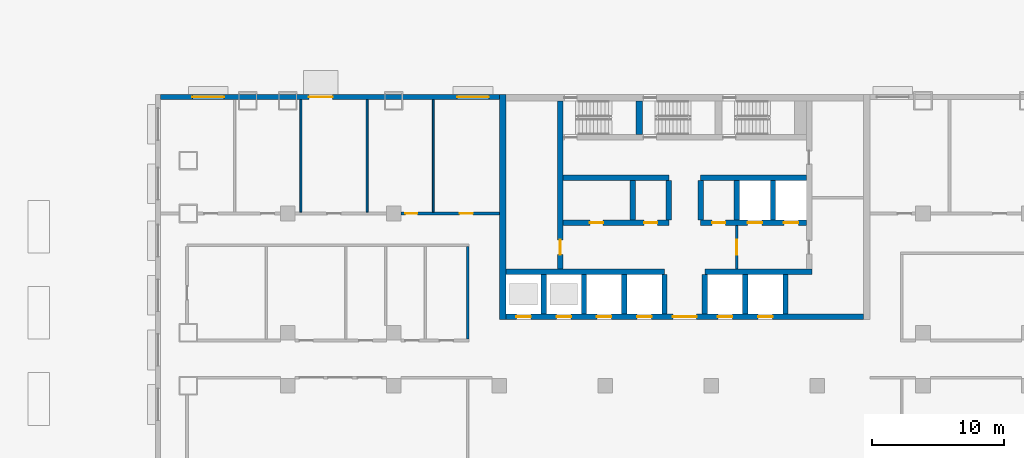
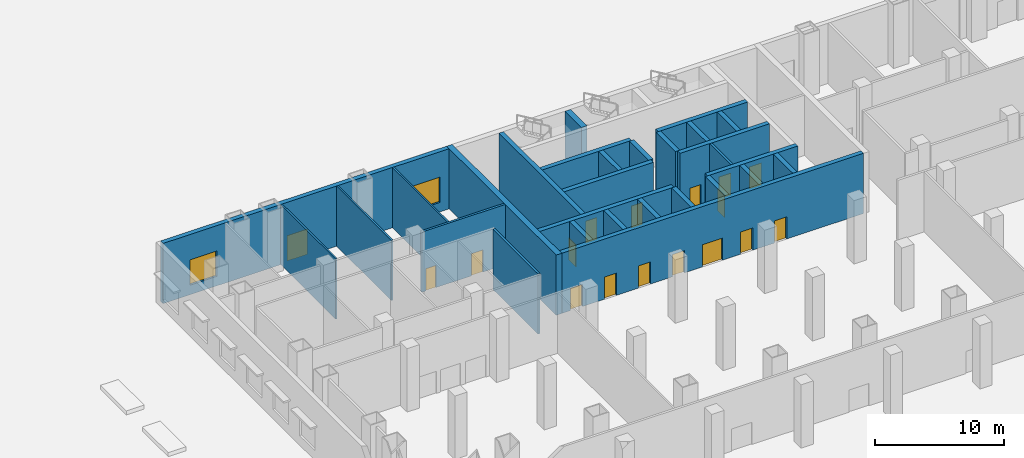
# One storey, part 8 of 18: 29 walls, 17 doors, 2 windows, 19 openings.
"""IFC4 building model written with IfcOpenShell, lengths in metres."""

from ifc_helpers import new_model, si_unit, direction, frame, frame_2d, origin, place, context, subcontext, project, spatial, rectangle, extrude, material, layer, layer_set, type_object, element, fill, save


model = new_model("IFC4")

# Units and contexts
model_context = context("Model", 3, precision=1e-05, world=origin(), true_north=direction((0.0, 1.0)))
body_context = subcontext(model_context, "Body", "Model", "MODEL_VIEW")
ifc_project = project(units=[si_unit("LENGTHUNIT", "METRE"), si_unit("AREAUNIT", "SQUARE_METRE"), si_unit("VOLUMEUNIT", "CUBIC_METRE"), si_unit("PLANEANGLEUNIT", "RADIAN"), si_unit("MASSUNIT", "GRAM", prefix="KILO")], contexts=[model_context])

# Site, building, storey
site_placement = place(None, origin())
site = spatial("IfcSite", under=ifc_project, at=site_placement, CompositionType="ELEMENT")
building_placement = place(site_placement, origin())
building = spatial("IfcBuilding", under=site, at=building_placement, Name="Vidyagriha Tower", CompositionType="ELEMENT")
storey_placement = place(building_placement, origin())
storey = spatial("IfcBuildingStorey", under=building, at=storey_placement, Name="L00", CompositionType="ELEMENT", Elevation=0.0)

# Wall, openings, door, windows
ifc_material_1 = material(Name="Concrete C40/50 board-marked with brick facing", Category="concrete")
ifc_layer_1 = layer(ifc_material_1, 0.39990234375)
ifc_layer_set_1 = layer_set([ifc_layer_1], Name="Concrete C40/50 board-marked with brick facing")
wall_type_1 = type_object("IfcWallType", Name="Brick-faced board-marked concrete podium wall 400", PredefinedType="STANDARD", material=ifc_layer_set_1)
wall_1_placement = place(storey_placement, frame((-14.0, 19.800048828125, 0.0), z_axis=(0.0, 0.0, 1.0), x_axis=(-1.0, 0.0, 0.0)))
wall_1 = element("IfcWall", 1, at=wall_1_placement, inside=storey, type_object=wall_type_1, Name="Podium wall L00 R04", PredefinedType="STANDARD", context=body_context, shape_type="SweptSolid", body=[
    extrude(rectangle(XDim=25.60009765625, YDim=0.39990234375, at=frame_2d((12.800048828125, 0.0))), origin(), (0.0, 0.0, 1.0), 5.699951171875),
])
opening_1_placement = place(wall_1_placement, frame((12.60009765625, 0.0, 0.0)))
opening_1 = element("IfcOpeningElement", 2, at=opening_1_placement, cuts=wall_1, Name="Opening D00-03", PredefinedType="OPENING", context=body_context, shape_type="SweptSolid", body=[
    extrude(rectangle(XDim=1.800048828125, YDim=2.39990234375, at=frame_2d((0.89990234375, 1.199951171875))), frame((0.0, 0.2099609375, 0.0), z_axis=(0.0, -1.0, 0.0), x_axis=(1.0, 0.0, 0.0)), (0.0, 0.0, 1.0), 0.419921875),
])
opening_2_placement = place(wall_1_placement, frame((0.800048828125, 0.0, 0.89990234375)))
opening_2 = element("IfcOpeningElement", 3, at=opening_2_placement, cuts=wall_1, Name="Opening WN4", PredefinedType="OPENING", context=body_context, shape_type="SweptSolid", body=[
    extrude(rectangle(XDim=2.39990234375, YDim=2.39990234375, at=frame_2d((1.199951171875, 1.199951171875))), frame((0.0, 0.2099609375, 0.0), z_axis=(0.0, -1.0, 0.0), x_axis=(1.0, 0.0, 0.0)), (0.0, 0.0, 1.0), 0.419921875),
])
opening_3_placement = place(wall_1_placement, frame((20.800048828125, 0.0, 0.89990234375)))
opening_3 = element("IfcOpeningElement", 4, at=opening_3_placement, cuts=wall_1, Name="Opening WN4", PredefinedType="OPENING", context=body_context, shape_type="SweptSolid", body=[
    extrude(rectangle(XDim=2.39990234375, YDim=2.39990234375, at=frame_2d((1.199951171875, 1.199951171875))), frame((0.0, 0.2099609375, 0.0), z_axis=(0.0, -1.0, 0.0), x_axis=(1.0, 0.0, 0.0)), (0.0, 0.0, 1.0), 0.419921875),
])
ifc_material_2 = material(Name="Aluminium and glass door", Category="aluminium")
door_type_1 = type_object("IfcDoorType", Name="Entrance double leaf glazed door 1800x2400", OperationType="NOTDEFINED", PredefinedType="DOOR", material=ifc_material_2)
door_1_placement = place(opening_1_placement, frame((1.800048828125, 0.0, 0.0), z_axis=(0.0, 0.0, 1.0), x_axis=(-1.0, 0.0, 0.0)))
door_1 = element("IfcDoor", 5, at=door_1_placement, inside=storey, type_object=door_type_1, Name="Stair exit D00-03", OperationType="DOUBLE_DOOR_SINGLE_SWING", OverallHeight=2.39990234375, OverallWidth=1.800048828125, PredefinedType="DOOR", context=body_context, shape_type="SweptSolid", body=[
    extrude(rectangle(XDim=1.800048828125, YDim=2.39990234375, at=frame_2d((0.89990234375, 1.199951171875))), frame((0.0, 0.02490234375, 0.0), z_axis=(0.0, -1.0, 0.0), x_axis=(1.0, 0.0, 0.0)), (0.0, 0.0, 1.0), 0.050048828125),
])
fill(opening_1, door_1)
ifc_material_3 = material(Name="Aluminium and glass window", Category="aluminium")
window_type = type_object("IfcWindowType", Name="Ground storey school window 2400x2400", PartitioningType="NOTDEFINED", PredefinedType="WINDOW", material=ifc_material_3)
window_1_placement = place(opening_2_placement, origin())
window_1 = element("IfcWindow", 6, at=window_1_placement, inside=storey, type_object=window_type, Name="School window L00 R04.1", OverallHeight=2.39990234375, OverallWidth=2.39990234375, PartitioningType="SINGLE_PANEL", PredefinedType="WINDOW", context=body_context, shape_type="SweptSolid", body=[
    extrude(rectangle(XDim=2.39990234375, YDim=2.39990234375, at=frame_2d((1.199951171875, 1.199951171875))), frame((0.0, 0.030029296875, 0.0), z_axis=(0.0, -1.0, 0.0), x_axis=(1.0, 0.0, 0.0)), (0.0, 0.0, 1.0), 0.06005859375),
])
fill(opening_2, window_1)
window_2_placement = place(opening_3_placement, origin())
window_2 = element("IfcWindow", 7, at=window_2_placement, inside=storey, type_object=window_type, Name="School window L00 R04.14", OverallHeight=2.39990234375, OverallWidth=2.39990234375, PartitioningType="SINGLE_PANEL", PredefinedType="WINDOW", context=body_context, shape_type="SweptSolid", body=[
    extrude(rectangle(XDim=2.39990234375, YDim=2.39990234375, at=frame_2d((1.199951171875, 1.199951171875))), frame((0.0, 0.030029296875, 0.0), z_axis=(0.0, -1.0, 0.0), x_axis=(1.0, 0.0, 0.0)), (0.0, 0.0, 1.0), 0.06005859375),
])
fill(opening_3, window_2)

# Wall, opening, door
ifc_material_4 = material(Name="Concrete C60/75", Category="concrete")
ifc_layer_2 = layer(ifc_material_4, 0.39990234375)
ifc_layer_set_2 = layer_set([ifc_layer_2], Name="Concrete C60/75")
wall_type_2 = type_object("IfcWallType", Name="Core shear wall 400 mm", PredefinedType="SHEAR", material=ifc_layer_set_2)
wall_2_placement = place(storey_placement, frame((-9.39990234375, 6.800048828125, 0.0), z_axis=(0.0, 0.0, 1.0), x_axis=(0.0, 1.0, 0.0)))
wall_2 = element("IfcWall", 8, at=wall_2_placement, inside=storey, type_object=wall_type_2, Name="Core west spine wall", PredefinedType="SHEAR", context=body_context, shape_type="SweptSolid", body=[
    extrude(rectangle(XDim=12.699951171875, YDim=0.39990234375, at=frame_2d((6.35009765625, 0.0))), origin(), (0.0, 0.0, 1.0), 5.699951171875),
])
opening_4_placement = place(wall_2_placement, frame((1.10009765625, 0.0, 0.0)))
opening_4 = element("IfcOpeningElement", 9, at=opening_4_placement, cuts=wall_2, Name="Opening D00-19", PredefinedType="OPENING", context=body_context, shape_type="SweptSolid", body=[
    extrude(rectangle(XDim=1.10009765625, YDim=2.10009765625, at=frame_2d((0.550048828125, 1.050048828125))), frame((0.0, 0.2099609375, 0.0), z_axis=(0.0, -1.0, 0.0), x_axis=(1.0, 0.0, 0.0)), (0.0, 0.0, 1.0), 0.419921875),
])
ifc_material_5 = material(Name="Hollow metal door leaf")
door_type_2 = type_object("IfcDoorType", Name="Core room door 1100 x 2100 mm EI 60", OperationType="NOTDEFINED", PredefinedType="DOOR", material=ifc_material_5)
door_2_placement = place(opening_4_placement, frame((1.10009765625, 0.0, 0.0), z_axis=(0.0, 0.0, 1.0), x_axis=(-1.0, 0.0, 0.0)))
door_2 = element("IfcDoor", 10, at=door_2_placement, inside=storey, type_object=door_type_2, Name="Door Fire Command Room 00", OperationType="SINGLE_SWING_RIGHT", OverallHeight=2.10009765625, OverallWidth=1.10009765625, PredefinedType="DOOR", context=body_context, shape_type="SweptSolid", body=[
    extrude(rectangle(XDim=1.10009765625, YDim=2.10009765625, at=frame_2d((0.550048828125, 1.050048828125))), frame((0.0, 0.02490234375, 0.0), z_axis=(0.0, -1.0, 0.0), x_axis=(1.0, 0.0, 0.0)), (0.0, 0.0, 1.0), 0.050048828125),
])
fill(opening_4, door_2)

# Wall, openings, doors
wall_3_placement = place(storey_placement, frame((-13.5, 3.199951171875, 0.0)))
wall_3 = element("IfcWall", 11, at=wall_3_placement, inside=storey, type_object=wall_type_2, Name="Core front wall", PredefinedType="SHEAR", context=body_context, shape_type="SweptSolid", body=[
    extrude(rectangle(XDim=27.0, YDim=0.39990234375, at=frame_2d((13.5, 0.0))), origin(), (0.0, 0.0, 1.0), 5.699951171875),
])
opening_5_placement = place(wall_3_placement, frame((0.772216796875, 0.0, 0.0)))
opening_5 = element("IfcOpeningElement", 12, at=opening_5_placement, cuts=wall_3, Name="Opening LD00-01", PredefinedType="OPENING", context=body_context, shape_type="SweptSolid", body=[
    extrude(rectangle(XDim=1.10009765625, YDim=2.10009765625, at=frame_2d((0.550048828125, 1.050048828125))), frame((0.0, 0.2099609375, 0.0), z_axis=(0.0, -1.0, 0.0), x_axis=(1.0, 0.0, 0.0)), (0.0, 0.0, 1.0), 0.419921875),
])
opening_6_placement = place(wall_3_placement, frame((3.816650390625, 0.0, 0.0)))
opening_6 = element("IfcOpeningElement", 13, at=opening_6_placement, cuts=wall_3, Name="Opening LD00-02", PredefinedType="OPENING", context=body_context, shape_type="SweptSolid", body=[
    extrude(rectangle(XDim=1.10009765625, YDim=2.10009765625, at=frame_2d((0.550048828125, 1.050048828125))), frame((0.0, 0.2099609375, 0.0), z_axis=(0.0, -1.0, 0.0), x_axis=(1.0, 0.0, 0.0)), (0.0, 0.0, 1.0), 0.419921875),
])
opening_7_placement = place(wall_3_placement, frame((6.861083984375, 0.0, 0.0)))
opening_7 = element("IfcOpeningElement", 14, at=opening_7_placement, cuts=wall_3, Name="Opening LD00-03", PredefinedType="OPENING", context=body_context, shape_type="SweptSolid", body=[
    extrude(rectangle(XDim=1.10009765625, YDim=2.10009765625, at=frame_2d((0.550048828125, 1.050048828125))), frame((0.0, 0.2099609375, 0.0), z_axis=(0.0, -1.0, 0.0), x_axis=(1.0, 0.0, 0.0)), (0.0, 0.0, 1.0), 0.419921875),
])
opening_8_placement = place(wall_3_placement, frame((9.905517578125, 0.0, 0.0)))
opening_8 = element("IfcOpeningElement", 15, at=opening_8_placement, cuts=wall_3, Name="Opening LD00-04", PredefinedType="OPENING", context=body_context, shape_type="SweptSolid", body=[
    extrude(rectangle(XDim=1.10009765625, YDim=2.10009765625, at=frame_2d((0.550048828125, 1.050048828125))), frame((0.0, 0.2099609375, 0.0), z_axis=(0.0, -1.0, 0.0), x_axis=(1.0, 0.0, 0.0)), (0.0, 0.0, 1.0), 0.419921875),
])
opening_9_placement = place(wall_3_placement, frame((15.994384765625, 0.0, 0.0)))
opening_9 = element("IfcOpeningElement", 16, at=opening_9_placement, cuts=wall_3, Name="Opening LD00-05", PredefinedType="OPENING", context=body_context, shape_type="SweptSolid", body=[
    extrude(rectangle(XDim=1.10009765625, YDim=2.10009765625, at=frame_2d((0.550048828125, 1.050048828125))), frame((0.0, 0.2099609375, 0.0), z_axis=(0.0, -1.0, 0.0), x_axis=(1.0, 0.0, 0.0)), (0.0, 0.0, 1.0), 0.419921875),
])
opening_10_placement = place(wall_3_placement, frame((19.038818359375, 0.0, 0.0)))
opening_10 = element("IfcOpeningElement", 17, at=opening_10_placement, cuts=wall_3, Name="Opening LD00-06", PredefinedType="OPENING", context=body_context, shape_type="SweptSolid", body=[
    extrude(rectangle(XDim=1.10009765625, YDim=2.10009765625, at=frame_2d((0.550048828125, 1.050048828125))), frame((0.0, 0.2099609375, 0.0), z_axis=(0.0, -1.0, 0.0), x_axis=(1.0, 0.0, 0.0)), (0.0, 0.0, 1.0), 0.419921875),
])
opening_11_placement = place(wall_3_placement, frame((12.60009765625, 0.0, 0.0)))
opening_11 = element("IfcOpeningElement", 18, at=opening_11_placement, cuts=wall_3, Name="Opening D00-08", PredefinedType="OPENING", context=body_context, shape_type="SweptSolid", body=[
    extrude(rectangle(XDim=1.800048828125, YDim=2.10009765625, at=frame_2d((0.89990234375, 1.050048828125))), frame((0.0, 0.2099609375, 0.0), z_axis=(0.0, -1.0, 0.0), x_axis=(1.0, 0.0, 0.0)), (0.0, 0.0, 1.0), 0.419921875),
])
ifc_material_6 = material(Name="Hollow metal door leaf")
door_type_3 = type_object("IfcDoorType", Name="Core lobby double door 1800 x 2100 mm EI 60", OperationType="NOTDEFINED", PredefinedType="DOOR", material=ifc_material_6)
door_3_placement = place(opening_11_placement, frame((1.800048828125, 0.0, 0.0), z_axis=(0.0, 0.0, 1.0), x_axis=(-1.0, 0.0, 0.0)))
door_3 = element("IfcDoor", 19, at=door_3_placement, inside=storey, type_object=door_type_3, Name="Core entrance door L00", OperationType="DOUBLE_DOOR_SINGLE_SWING", OverallHeight=2.10009765625, OverallWidth=1.800048828125, PredefinedType="DOOR", context=body_context, shape_type="SweptSolid", body=[
    extrude(rectangle(XDim=1.800048828125, YDim=2.10009765625, at=frame_2d((0.89990234375, 1.050048828125))), frame((0.0, 0.02490234375, 0.0), z_axis=(0.0, -1.0, 0.0), x_axis=(1.0, 0.0, 0.0)), (0.0, 0.0, 1.0), 0.050048828125),
])
fill(opening_11, door_3)
ifc_material_7 = material(Name="Stainless steel sliding door panel", Category="steel")
door_type_4 = type_object("IfcDoorType", Name="Lift landing door 1100 x 2100 mm EI 90", OperationType="NOTDEFINED", PredefinedType="DOOR", material=ifc_material_7)
door_4_placement = place(opening_5_placement, origin())
door_4 = element("IfcDoor", 20, at=door_4_placement, inside=storey, type_object=door_type_4, Name="Landing door SH1 L00", OperationType="SLIDING_TO_LEFT", OverallHeight=2.10009765625, OverallWidth=1.10009765625, PredefinedType="DOOR", context=body_context, shape_type="SweptSolid", body=[
    extrude(rectangle(XDim=1.10009765625, YDim=2.10009765625, at=frame_2d((0.550048828125, 1.050048828125))), frame((0.0, 0.02490234375, 0.0), z_axis=(0.0, -1.0, 0.0), x_axis=(1.0, 0.0, 0.0)), (0.0, 0.0, 1.0), 0.050048828125),
])
fill(opening_5, door_4)
door_5_placement = place(opening_6_placement, origin())
door_5 = element("IfcDoor", 21, at=door_5_placement, inside=storey, type_object=door_type_4, Name="Landing door SH2 L00", OperationType="SLIDING_TO_LEFT", OverallHeight=2.10009765625, OverallWidth=1.10009765625, PredefinedType="DOOR", context=body_context, shape_type="SweptSolid", body=[
    extrude(rectangle(XDim=1.10009765625, YDim=2.10009765625, at=frame_2d((0.550048828125, 1.050048828125))), frame((0.0, 0.02490234375, 0.0), z_axis=(0.0, -1.0, 0.0), x_axis=(1.0, 0.0, 0.0)), (0.0, 0.0, 1.0), 0.050048828125),
])
fill(opening_6, door_5)
door_6_placement = place(opening_7_placement, origin())
door_6 = element("IfcDoor", 22, at=door_6_placement, inside=storey, type_object=door_type_4, Name="Landing door LR1 L00", OperationType="SLIDING_TO_LEFT", OverallHeight=2.10009765625, OverallWidth=1.10009765625, PredefinedType="DOOR", context=body_context, shape_type="SweptSolid", body=[
    extrude(rectangle(XDim=1.10009765625, YDim=2.10009765625, at=frame_2d((0.550048828125, 1.050048828125))), frame((0.0, 0.02490234375, 0.0), z_axis=(0.0, -1.0, 0.0), x_axis=(1.0, 0.0, 0.0)), (0.0, 0.0, 1.0), 0.050048828125),
])
fill(opening_7, door_6)
door_7_placement = place(opening_8_placement, origin())
door_7 = element("IfcDoor", 23, at=door_7_placement, inside=storey, type_object=door_type_4, Name="Landing door LR2 L00", OperationType="SLIDING_TO_LEFT", OverallHeight=2.10009765625, OverallWidth=1.10009765625, PredefinedType="DOOR", context=body_context, shape_type="SweptSolid", body=[
    extrude(rectangle(XDim=1.10009765625, YDim=2.10009765625, at=frame_2d((0.550048828125, 1.050048828125))), frame((0.0, 0.02490234375, 0.0), z_axis=(0.0, -1.0, 0.0), x_axis=(1.0, 0.0, 0.0)), (0.0, 0.0, 1.0), 0.050048828125),
])
fill(opening_8, door_7)
door_8_placement = place(opening_9_placement, origin())
door_8 = element("IfcDoor", 24, at=door_8_placement, inside=storey, type_object=door_type_4, Name="Landing door LR3 L00", OperationType="SLIDING_TO_LEFT", OverallHeight=2.10009765625, OverallWidth=1.10009765625, PredefinedType="DOOR", context=body_context, shape_type="SweptSolid", body=[
    extrude(rectangle(XDim=1.10009765625, YDim=2.10009765625, at=frame_2d((0.550048828125, 1.050048828125))), frame((0.0, 0.02490234375, 0.0), z_axis=(0.0, -1.0, 0.0), x_axis=(1.0, 0.0, 0.0)), (0.0, 0.0, 1.0), 0.050048828125),
])
fill(opening_9, door_8)
door_9_placement = place(opening_10_placement, origin())
door_9 = element("IfcDoor", 25, at=door_9_placement, inside=storey, type_object=door_type_4, Name="Landing door LR4 L00", OperationType="SLIDING_TO_LEFT", OverallHeight=2.10009765625, OverallWidth=1.10009765625, PredefinedType="DOOR", context=body_context, shape_type="SweptSolid", body=[
    extrude(rectangle(XDim=1.10009765625, YDim=2.10009765625, at=frame_2d((0.550048828125, 1.050048828125))), frame((0.0, 0.02490234375, 0.0), z_axis=(0.0, -1.0, 0.0), x_axis=(1.0, 0.0, 0.0)), (0.0, 0.0, 1.0), 0.050048828125),
])
fill(opening_10, door_9)

# Walls
wall_4_placement = place(storey_placement, frame((-13.5, 6.60009765625, 0.0)))
element("IfcWall", 26, at=wall_4_placement, inside=storey, type_object=wall_type_2, Name="Core lobby south wall west", PredefinedType="SHEAR", context=body_context, shape_type="SweptSolid", body=[
    extrude(rectangle(XDim=11.977783203125, YDim=0.39990234375, at=frame_2d((5.98876953125, 0.0))), origin(), (0.0, 0.0, 1.0), 5.699951171875),
])
wall_5_placement = place(storey_placement, frame((1.522216796875, 6.60009765625, 0.0)))
element("IfcWall", 27, at=wall_5_placement, inside=storey, type_object=wall_type_2, Name="Core lobby south wall east", PredefinedType="SHEAR", context=body_context, shape_type="SweptSolid", body=[
    extrude(rectangle(XDim=8.077880859375, YDim=0.39990234375, at=frame_2d((4.0390625, 0.0))), origin(), (0.0, 0.0, 1.0), 5.699951171875),
])
for number, where, z_axis, x_axis, name in (
    (28, (-10.655517578125, 3.39990234375, 0.0), (0.0, 0.0, 1.0), (0.0, 1.0, 0.0), "Core bay wall S1"),
    (29, (-7.611083984375, 3.39990234375, 0.0), (0.0, 0.0, 1.0), (0.0, 1.0, 0.0), "Core bay wall S2"),
    (30, (-4.566650390625, 3.39990234375, 0.0), (0.0, 0.0, 1.0), (0.0, 1.0, 0.0), "Core bay wall S3"),
    (31, (-1.522216796875, 3.39990234375, 0.0), (0.0, 0.0, 1.0), (0.0, 1.0, 0.0), "Core bay wall S4"),
    (32, (1.522216796875, 3.39990234375, 0.0), (0.0, 0.0, 1.0), (0.0, 1.0, 0.0), "Core bay wall S5"),
    (33, (4.566650390625, 3.39990234375, 0.0), (0.0, 0.0, 1.0), (0.0, 1.0, 0.0), "Core bay wall S6"),
    (34, (7.611083984375, 3.39990234375, 0.0), (0.0, 0.0, 1.0), (0.0, 1.0, 0.0), "Core bay wall S7"),
):
    element("IfcWall", number, at=place(storey_placement, frame(where, z_axis=z_axis, x_axis=x_axis)), inside=storey, type_object=wall_type_2, Name=name, PredefinedType="SHEAR", context=body_context, shape_type="SweptSolid", body=[
        extrude(rectangle(XDim=3.0, YDim=0.39990234375, at=frame_2d((1.5, 0.0))), origin(), (0.0, 0.0, 1.0), 5.699951171875),
    ])

# Wall, openings, doors
wall_6_placement = place(storey_placement, frame((-9.199951171875, 10.300048828125, 0.0)))
wall_6 = element("IfcWall", 35, at=wall_6_placement, inside=storey, type_object=wall_type_2, Name="Core row N front wall", PredefinedType="SHEAR", context=body_context, shape_type="SweptSolid", body=[
    extrude(rectangle(XDim=8.0, YDim=0.39990234375, at=frame_2d((4.0, 0.0))), origin(), (0.0, 0.0, 1.0), 5.699951171875),
])
opening_12_placement = place(wall_6_placement, frame((2.033203125, 0.0, 0.0)))
opening_12 = element("IfcOpeningElement", 36, at=opening_12_placement, cuts=wall_6, Name="Opening D00-09", PredefinedType="OPENING", context=body_context, shape_type="SweptSolid", body=[
    extrude(rectangle(XDim=1.0, YDim=2.10009765625, at=frame_2d((0.5, 1.050048828125))), frame((0.0, 0.2099609375, 0.0), z_axis=(0.0, -1.0, 0.0), x_axis=(1.0, 0.0, 0.0)), (0.0, 0.0, 1.0), 0.419921875),
])
opening_13_placement = place(wall_6_placement, frame((6.13330078125, 0.0, 0.0)))
opening_13 = element("IfcOpeningElement", 37, at=opening_13_placement, cuts=wall_6, Name="Opening D00-10", PredefinedType="OPENING", context=body_context, shape_type="SweptSolid", body=[
    extrude(rectangle(XDim=1.0, YDim=2.10009765625, at=frame_2d((0.5, 1.050048828125))), frame((0.0, 0.2099609375, 0.0), z_axis=(0.0, -1.0, 0.0), x_axis=(1.0, 0.0, 0.0)), (0.0, 0.0, 1.0), 0.419921875),
])
ifc_material_8 = material(Name="Hollow metal door leaf")
door_type_5 = type_object("IfcDoorType", Name="Core room door 1000 x 2100 mm EI 60", OperationType="NOTDEFINED", PredefinedType="DOOR", material=ifc_material_8)
door_10_placement = place(opening_12_placement, frame((1.0, 0.0, 0.0), z_axis=(0.0, 0.0, 1.0), x_axis=(-1.0, 0.0, 0.0)))
door_10 = element("IfcDoor", 38, at=door_10_placement, inside=storey, type_object=door_type_5, Name="Door Storage Room 00.14", OperationType="SINGLE_SWING_RIGHT", OverallHeight=2.10009765625, OverallWidth=1.0, PredefinedType="DOOR", context=body_context, shape_type="SweptSolid", body=[
    extrude(rectangle(XDim=1.0, YDim=2.10009765625, at=frame_2d((0.5, 1.050048828125))), frame((0.0, 0.02490234375, 0.0), z_axis=(0.0, -1.0, 0.0), x_axis=(1.0, 0.0, 0.0)), (0.0, 0.0, 1.0), 0.050048828125),
])
fill(opening_12, door_10)
door_11_placement = place(opening_13_placement, frame((1.0, 0.0, 0.0), z_axis=(0.0, 0.0, 1.0), x_axis=(-1.0, 0.0, 0.0)))
door_11 = element("IfcDoor", 39, at=door_11_placement, inside=storey, type_object=door_type_5, Name="Door Communications Room 00.15", OperationType="SINGLE_SWING_LEFT", OverallHeight=2.10009765625, OverallWidth=1.0, PredefinedType="DOOR", context=body_context, shape_type="SweptSolid", body=[
    extrude(rectangle(XDim=1.0, YDim=2.10009765625, at=frame_2d((0.5, 1.050048828125))), frame((0.0, 0.02490234375, 0.0), z_axis=(0.0, -1.0, 0.0), x_axis=(1.0, 0.0, 0.0)), (0.0, 0.0, 1.0), 0.050048828125),
])
fill(opening_13, door_11)

# Wall
wall_7_placement = place(storey_placement, frame((-9.199951171875, 13.699951171875, 0.0)))
element("IfcWall", 40, at=wall_7_placement, inside=storey, type_object=wall_type_2, Name="Core row N rear wall", PredefinedType="SHEAR", context=body_context, shape_type="SweptSolid", body=[
    extrude(rectangle(XDim=8.0, YDim=0.39990234375, at=frame_2d((4.0, 0.0))), origin(), (0.0, 0.0, 1.0), 5.699951171875),
])

# Wall, openings, doors
wall_8_placement = place(storey_placement, frame((1.199951171875, 10.300048828125, 0.0)))
wall_8 = element("IfcWall", 41, at=wall_8_placement, inside=storey, type_object=wall_type_2, Name="Core row N front wall", PredefinedType="SHEAR", context=body_context, shape_type="SweptSolid", body=[
    extrude(rectangle(XDim=8.0, YDim=0.39990234375, at=frame_2d((4.0, 0.0))), origin(), (0.0, 0.0, 1.0), 5.699951171875),
])
opening_14_placement = place(wall_8_placement, frame((3.550048828125, 0.0, 0.0)))
opening_14 = element("IfcOpeningElement", 42, at=opening_14_placement, cuts=wall_8, Name="Opening LD00-07", PredefinedType="OPENING", context=body_context, shape_type="SweptSolid", body=[
    extrude(rectangle(XDim=1.10009765625, YDim=2.10009765625, at=frame_2d((0.550048828125, 1.050048828125))), frame((0.0, 0.2099609375, 0.0), z_axis=(0.0, -1.0, 0.0), x_axis=(1.0, 0.0, 0.0)), (0.0, 0.0, 1.0), 0.419921875),
])
opening_15_placement = place(wall_8_placement, frame((6.283203125, 0.0, 0.0)))
opening_15 = element("IfcOpeningElement", 43, at=opening_15_placement, cuts=wall_8, Name="Opening LD00-08", PredefinedType="OPENING", context=body_context, shape_type="SweptSolid", body=[
    extrude(rectangle(XDim=1.10009765625, YDim=2.10009765625, at=frame_2d((0.550048828125, 1.050048828125))), frame((0.0, 0.2099609375, 0.0), z_axis=(0.0, -1.0, 0.0), x_axis=(1.0, 0.0, 0.0)), (0.0, 0.0, 1.0), 0.419921875),
])
opening_16_placement = place(wall_8_placement, frame((0.86669921875, 0.0, 0.0)))
opening_16 = element("IfcOpeningElement", 44, at=opening_16_placement, cuts=wall_8, Name="Opening D00-11", PredefinedType="OPENING", context=body_context, shape_type="SweptSolid", body=[
    extrude(rectangle(XDim=1.0, YDim=2.10009765625, at=frame_2d((0.5, 1.050048828125))), frame((0.0, 0.2099609375, 0.0), z_axis=(0.0, -1.0, 0.0), x_axis=(1.0, 0.0, 0.0)), (0.0, 0.0, 1.0), 0.419921875),
])
door_12_placement = place(opening_16_placement, frame((1.0, 0.0, 0.0), z_axis=(0.0, 0.0, 1.0), x_axis=(-1.0, 0.0, 0.0)))
door_12 = element("IfcDoor", 45, at=door_12_placement, inside=storey, type_object=door_type_5, Name="Door Refuse Room 00.16", OperationType="SINGLE_SWING_LEFT", OverallHeight=2.10009765625, OverallWidth=1.0, PredefinedType="DOOR", context=body_context, shape_type="SweptSolid", body=[
    extrude(rectangle(XDim=1.0, YDim=2.10009765625, at=frame_2d((0.5, 1.050048828125))), frame((0.0, 0.02490234375, 0.0), z_axis=(0.0, -1.0, 0.0), x_axis=(1.0, 0.0, 0.0)), (0.0, 0.0, 1.0), 0.050048828125),
])
fill(opening_16, door_12)
door_13_placement = place(opening_14_placement, origin())
door_13 = element("IfcDoor", 46, at=door_13_placement, inside=storey, type_object=door_type_4, Name="Landing door FF1 L00", OperationType="SLIDING_TO_LEFT", OverallHeight=2.10009765625, OverallWidth=1.10009765625, PredefinedType="DOOR", context=body_context, shape_type="SweptSolid", body=[
    extrude(rectangle(XDim=1.10009765625, YDim=2.10009765625, at=frame_2d((0.550048828125, 1.050048828125))), frame((0.0, 0.02490234375, 0.0), z_axis=(0.0, -1.0, 0.0), x_axis=(1.0, 0.0, 0.0)), (0.0, 0.0, 1.0), 0.050048828125),
])
fill(opening_14, door_13)
door_14_placement = place(opening_15_placement, origin())
door_14 = element("IfcDoor", 47, at=door_14_placement, inside=storey, type_object=door_type_4, Name="Landing door FF2 L00", OperationType="SLIDING_TO_LEFT", OverallHeight=2.10009765625, OverallWidth=1.10009765625, PredefinedType="DOOR", context=body_context, shape_type="SweptSolid", body=[
    extrude(rectangle(XDim=1.10009765625, YDim=2.10009765625, at=frame_2d((0.550048828125, 1.050048828125))), frame((0.0, 0.02490234375, 0.0), z_axis=(0.0, -1.0, 0.0), x_axis=(1.0, 0.0, 0.0)), (0.0, 0.0, 1.0), 0.050048828125),
])
fill(opening_15, door_14)

# Walls
wall_9_placement = place(storey_placement, frame((1.199951171875, 13.699951171875, 0.0)))
element("IfcWall", 48, at=wall_9_placement, inside=storey, type_object=wall_type_2, Name="Core row N rear wall", PredefinedType="SHEAR", context=body_context, shape_type="SweptSolid", body=[
    extrude(rectangle(XDim=8.0, YDim=0.39990234375, at=frame_2d((4.0, 0.0))), origin(), (0.0, 0.0, 1.0), 5.699951171875),
])
for number, where, z_axis, x_axis, name in (
    (49, (-3.933349609375, 10.5, 0.0), (0.0, 0.0, 1.0), (0.0, 1.0, 0.0), "Core bay wall N2"),
    (50, (-1.199951171875, 10.5, 0.0), (0.0, 0.0, 1.0), (0.0, 1.0, 0.0), "Core bay wall N3"),
    (51, (1.199951171875, 10.5, 0.0), (0.0, 0.0, 1.0), (0.0, 1.0, 0.0), "Core bay wall N4"),
    (52, (3.933349609375, 10.5, 0.0), (0.0, 0.0, 1.0), (0.0, 1.0, 0.0), "Core bay wall N5"),
    (53, (6.666748046875, 10.5, 0.0), (0.0, 0.0, 1.0), (0.0, 1.0, 0.0), "Core bay wall N6"),
):
    element("IfcWall", number, at=place(storey_placement, frame(where, z_axis=z_axis, x_axis=x_axis)), inside=storey, type_object=wall_type_2, Name=name, PredefinedType="SHEAR", context=body_context, shape_type="SweptSolid", body=[
        extrude(rectangle(XDim=3.0, YDim=0.39990234375, at=frame_2d((1.5, 0.0))), origin(), (0.0, 0.0, 1.0), 5.699951171875),
    ])
ifc_material_9 = material(Name="Concrete C60/75", Category="concrete")
ifc_layer_3 = layer(ifc_material_9, 0.5)
ifc_layer_set_3 = layer_set([ifc_layer_3], Name="Concrete C60/75")
wall_type_3 = type_object("IfcWallType", Name="Core shear wall 500 mm", PredefinedType="SHEAR", material=ifc_layer_set_3)
wall_10_placement = place(storey_placement, frame((-13.75, 3.0, 0.0), z_axis=(0.0, 0.0, 1.0), x_axis=(0.0, 1.0, 0.0)))
element("IfcWall", 54, at=wall_10_placement, inside=storey, type_object=wall_type_3, Name="Core west wall", PredefinedType="SHEAR", context=body_context, shape_type="SweptSolid", body=[
    extrude(rectangle(XDim=17.0, YDim=0.5, at=frame_2d((8.5, 0.0))), origin(), (0.0, 0.0, 1.0), 5.699951171875),
])
wall_11_placement = place(storey_placement, frame((-3.449951171875, 16.949951171875, 0.0), z_axis=(0.0, 0.0, 1.0), x_axis=(0.0, 1.0, 0.0)))
element("IfcWall", 55, at=wall_11_placement, inside=storey, type_object=wall_type_3, Name="Stair partition wall 1", PredefinedType="SHEAR", context=body_context, shape_type="SweptSolid", body=[
    extrude(rectangle(XDim=2.550048828125, YDim=0.5, at=frame_2d((1.27490234375, 0.0))), origin(), (0.0, 0.0, 1.0), 5.699951171875),
])

# Wall, openings, doors
ifc_material_10 = material(Name="Fire rated gypsum board on light gauge framing")
ifc_layer_4 = layer(ifc_material_10, 0.199951171875)
ifc_layer_set_4 = layer_set([ifc_layer_4], Name="Fire rated gypsum board on light gauge framing")
wall_type_4 = type_object("IfcWallType", Name="Fire Rated Corridor Wall 200", PredefinedType="PARTITIONING", material=ifc_layer_set_4)
wall_12_placement = place(storey_placement, frame((-21.449951171875, 11.0, 0.0)))
wall_12 = element("IfcWall", 56, at=wall_12_placement, inside=storey, type_object=wall_type_4, Name="L00 Fire Rated Corridor Wall 200 041", PredefinedType="PARTITIONING", context=body_context, shape_type="SweptSolid", body=[
    extrude(rectangle(XDim=7.449951171875, YDim=0.199951171875, at=frame_2d((3.72509765625, 0.0))), origin(), (0.0, 0.0, 1.0), 5.699951171875),
])
opening_17_placement = place(wall_12_placement, frame((0.35009765625, 0.0, 0.0)))
opening_17 = element("IfcOpeningElement", 57, at=opening_17_placement, cuts=wall_12, Name="Opening D00-36", PredefinedType="OPENING", context=body_context, shape_type="SweptSolid", body=[
    extrude(rectangle(XDim=0.89990234375, YDim=2.10009765625, at=frame_2d((0.449951171875, 1.050048828125))), frame((0.0, 0.10986328125, 0.0), z_axis=(0.0, -1.0, 0.0), x_axis=(1.0, 0.0, 0.0)), (0.0, 0.0, 1.0), 0.219970703125),
])
opening_18_placement = place(wall_12_placement, frame((4.449951171875, 0.0, 0.0)))
opening_18 = element("IfcOpeningElement", 58, at=opening_18_placement, cuts=wall_12, Name="Opening D00-37", PredefinedType="OPENING", context=body_context, shape_type="SweptSolid", body=[
    extrude(rectangle(XDim=1.0, YDim=2.10009765625, at=frame_2d((0.5, 1.050048828125))), frame((0.0, 0.10986328125, 0.0), z_axis=(0.0, -1.0, 0.0), x_axis=(1.0, 0.0, 0.0)), (0.0, 0.0, 1.0), 0.219970703125),
])
ifc_material_11 = material(Name="Steel fire door set", Category="steel")
door_type_6 = type_object("IfcDoorType", Name="Podium Door 1000x2100 EI 30", OperationType="NOTDEFINED", PredefinedType="DOOR", material=ifc_material_11)
door_15_placement = place(opening_18_placement, origin())
door_15 = element("IfcDoor", 59, at=door_15_placement, inside=storey, type_object=door_type_6, Name="L00 door D00-37", OperationType="SINGLE_SWING_RIGHT", OverallHeight=2.10009765625, OverallWidth=1.0, PredefinedType="DOOR", context=body_context, shape_type="SweptSolid", body=[
    extrude(rectangle(XDim=1.0, YDim=2.10009765625, at=frame_2d((0.5, 1.050048828125))), frame((0.0, 0.02490234375, 0.0), z_axis=(0.0, -1.0, 0.0), x_axis=(1.0, 0.0, 0.0)), (0.0, 0.0, 1.0), 0.050048828125),
])
fill(opening_18, door_15)
ifc_material_12 = material(Name="Steel fire door set", Category="steel")
door_type_7 = type_object("IfcDoorType", Name="Podium Door 900x2100 EI 30", OperationType="NOTDEFINED", PredefinedType="DOOR", material=ifc_material_12)
door_16_placement = place(opening_17_placement, origin())
door_16 = element("IfcDoor", 60, at=door_16_placement, inside=storey, type_object=door_type_7, Name="L00 door D00-36", OperationType="SINGLE_SWING_LEFT", OverallHeight=2.10009765625, OverallWidth=0.89990234375, PredefinedType="DOOR", context=body_context, shape_type="SweptSolid", body=[
    extrude(rectangle(XDim=0.89990234375, YDim=2.10009765625, at=frame_2d((0.449951171875, 1.050048828125))), frame((0.0, 0.02490234375, 0.0), z_axis=(0.0, -1.0, 0.0), x_axis=(1.0, 0.0, 0.0)), (0.0, 0.0, 1.0), 0.050048828125),
])
fill(opening_17, door_16)

# Walls
wall_13_placement = place(storey_placement, frame((-16.39990234375, 1.5, 0.0), z_axis=(0.0, 0.0, 1.0), x_axis=(0.0, 1.0, 0.0)))
element("IfcWall", 61, at=wall_13_placement, inside=storey, type_object=wall_type_4, Name="L00 Fire Rated Corridor Wall 200 061", PredefinedType="PARTITIONING", context=body_context, shape_type="SweptSolid", body=[
    extrude(rectangle(XDim=7.0, YDim=0.199951171875, at=frame_2d((3.5, 0.0))), origin(), (0.0, 0.0, 1.0), 5.699951171875),
])
ifc_material_13 = material(Name="Gypsum board on light gauge framing")
ifc_layer_5 = layer(ifc_material_13, 0.14990234375)
ifc_layer_set_5 = layer_set([ifc_layer_5], Name="Gypsum board on light gauge framing")
wall_type_5 = type_object("IfcWallType", Name="Gypsum Board Partition 150", PredefinedType="PARTITIONING", material=ifc_layer_set_5)
for number, where, z_axis, x_axis, name in (
    (62, (-29.0, 11.10009765625, 0.0), (0.0, 0.0, 1.0), (0.0, 1.0, 0.0), "L00 Gypsum Board Partition 150 053"),
    (63, (-24.0, 11.10009765625, 0.0), (0.0, 0.0, 1.0), (0.0, 1.0, 0.0), "L00 Gypsum Board Partition 150 056"),
    (64, (-19.0, 11.10009765625, 0.0), (0.0, 0.0, 1.0), (0.0, 1.0, 0.0), "L00 Gypsum Board Partition 150 060"),
):
    element("IfcWall", number, at=place(storey_placement, frame(where, z_axis=z_axis, x_axis=x_axis)), inside=storey, type_object=wall_type_5, Name=name, PredefinedType="PARTITIONING", context=body_context, shape_type="SweptSolid", body=[
        extrude(rectangle(XDim=8.499755859375, YDim=0.14990234375, at=frame_2d((4.25, 0.0))), origin(), (0.0, 0.0, 1.0), 5.699951171875),
    ])

# Wall, opening, door
ifc_material_14 = material(Name="Blockwork 15 MPa", Category="masonry")
ifc_layer_6 = layer(ifc_material_14, 0.199951171875)
ifc_layer_set_6 = layer_set([ifc_layer_6], Name="Blockwork 15 MPa")
wall_type_6 = type_object("IfcWallType", Name="Service room partition 200 mm", PredefinedType="PARTITIONING", material=ifc_layer_set_6)
wall_14_placement = place(storey_placement, frame((3.933349609375, 6.800048828125, 0.0), z_axis=(0.0, 0.0, 1.0), x_axis=(0.0, 1.0, 0.0)))
wall_14 = element("IfcWall", 65, at=wall_14_placement, inside=storey, type_object=wall_type_6, Name="Fire-fighting lobby west wall", PredefinedType="PARTITIONING", context=body_context, shape_type="SweptSolid", body=[
    extrude(rectangle(XDim=3.300048828125, YDim=0.199951171875, at=frame_2d((1.64990234375, 0.0))), origin(), (0.0, 0.0, 1.0), 5.699951171875),
])
opening_19_placement = place(wall_14_placement, frame((1.10009765625, 0.0, 0.0)))
opening_19 = element("IfcOpeningElement", 66, at=opening_19_placement, cuts=wall_14, Name="Opening D00-12", PredefinedType="OPENING", context=body_context, shape_type="SweptSolid", body=[
    extrude(rectangle(XDim=1.10009765625, YDim=2.10009765625, at=frame_2d((0.550048828125, 1.050048828125))), frame((0.0, 0.10986328125, 0.0), z_axis=(0.0, -1.0, 0.0), x_axis=(1.0, 0.0, 0.0)), (0.0, 0.0, 1.0), 0.219970703125),
])
ifc_material_15 = material(Name="Hollow metal door leaf")
door_type_8 = type_object("IfcDoorType", Name="Fire-fighting lobby door 1100 x 2100 mm EI 90", OperationType="NOTDEFINED", PredefinedType="DOOR", material=ifc_material_15)
door_17_placement = place(opening_19_placement, origin())
door_17 = element("IfcDoor", 67, at=door_17_placement, inside=storey, type_object=door_type_8, Name="Fire-fighting lobby door L00", OperationType="SINGLE_SWING_RIGHT", OverallHeight=2.10009765625, OverallWidth=1.10009765625, PredefinedType="DOOR", context=body_context, shape_type="SweptSolid", body=[
    extrude(rectangle(XDim=1.10009765625, YDim=2.10009765625, at=frame_2d((0.550048828125, 1.050048828125))), frame((0.0, 0.02490234375, 0.0), z_axis=(0.0, -1.0, 0.0), x_axis=(1.0, 0.0, 0.0)), (0.0, 0.0, 1.0), 0.050048828125),
])
fill(opening_19, door_17)

save(model, "model.ifc")
